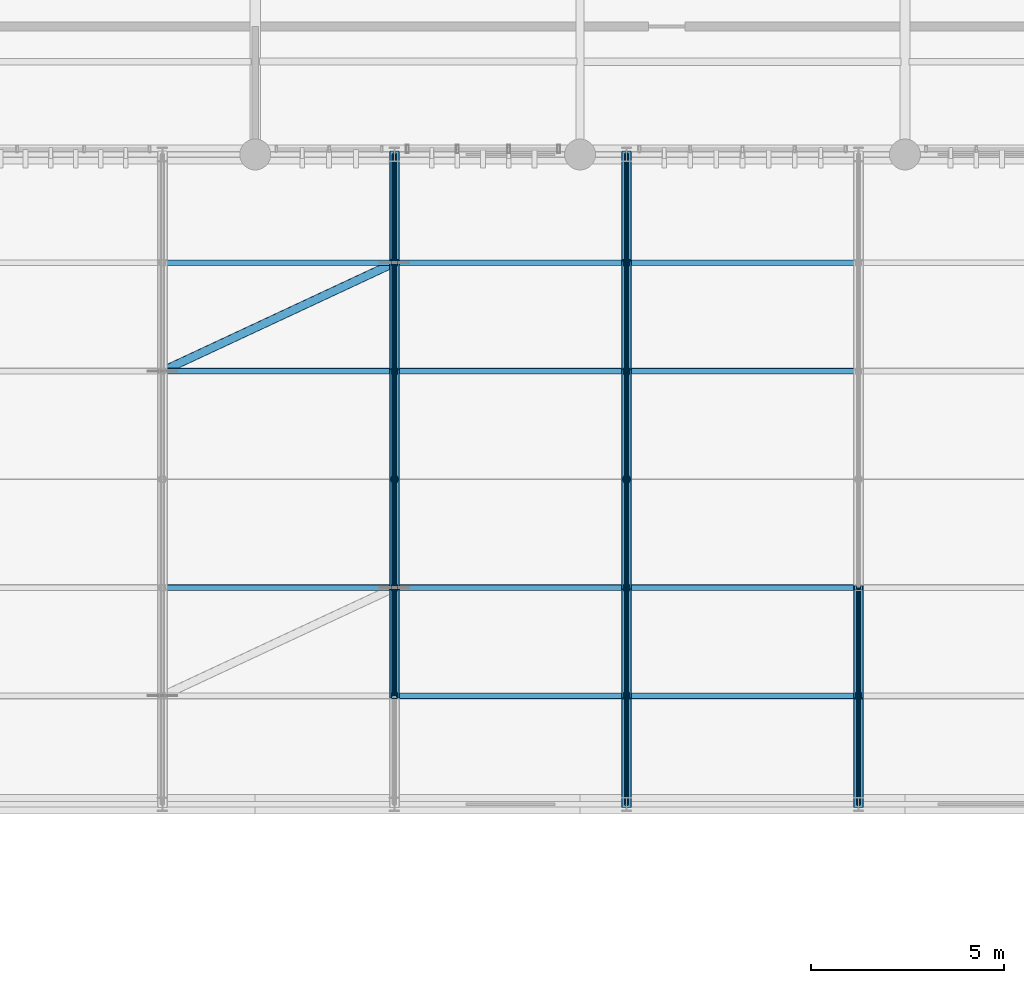
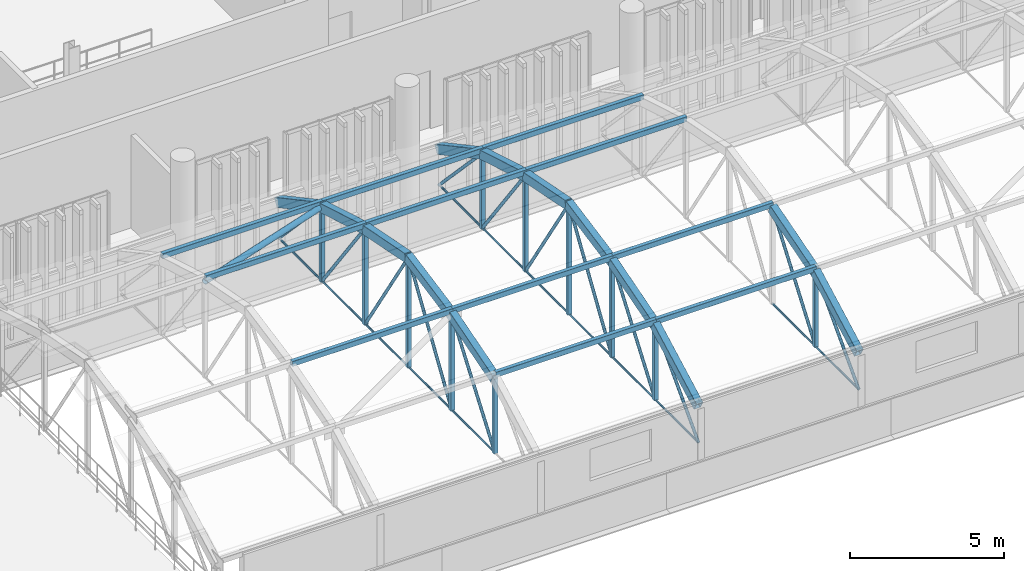
# One storey, part 45 of 109: 49 members, 13 beams.
"""IFC4 building model written with IfcOpenShell, lengths in metres."""

from ifc_helpers import new_model, si_unit, direction, frame, origin_with_axes, origin_2d_with_axis, place, context, subcontext, project, spatial, hollow_rectangle, circle, hollow_circle, extrude, material, material_profile, profile_set, type_object, element, save


model = new_model("IFC4")

# Units and contexts
model_context = context("Model", 3, precision=1e-05, world=origin_with_axes(), true_north=direction((0.0, 1.0)))
body_context = subcontext(model_context, "Body", "Model", "MODEL_VIEW")
ifc_project = project(units=[si_unit("LENGTHUNIT", "METRE"), si_unit("AREAUNIT", "SQUARE_METRE"), si_unit("VOLUMEUNIT", "CUBIC_METRE"), si_unit("PLANEANGLEUNIT", "RADIAN"), si_unit("MASSUNIT", "GRAM", prefix="KILO"), si_unit("THERMODYNAMICTEMPERATUREUNIT", "KELVIN")], contexts=[model_context])

# Site, building, storey
site_placement = place(None, origin_with_axes())
site = spatial("IfcSite", under=ifc_project, at=site_placement, CompositionType="ELEMENT")
building_placement = place(site_placement, origin_with_axes())
building = spatial("IfcBuilding", under=site, at=building_placement, Name="Montbau Bow Law Courts", CompositionType="ELEMENT")
storey_placement = place(building_placement, frame((0.0, 0.0, 10.8), z_axis=(0.0, 0.0, 1.0), x_axis=(1.0, 0.0, 0.0)))
storey = spatial("IfcBuildingStorey", under=building, at=storey_placement, Name="L02", CompositionType="ELEMENT", Elevation=10.8)

# Beams
ifc_material = material(Name="Steel CSA G40.21 Grade 350WT (350 MPa)", Category="steel")
ifc_material_profile_1 = material_profile(ifc_material, hollow_rectangle(XDim=0.254, YDim=0.356, WallThickness=0.0127, InnerFilletRadius=0.0254, OuterFilletRadius=0.0127, at=origin_2d_with_axis()), Name="HSS356X254X13", Category="Main", Priority=0)
ifc_profile_set_1 = profile_set([ifc_material_profile_1], Name="Steel CSA G40.21 Grade 350WT (350 MPa)")
beam_type = type_object("IfcBeamType", Name="B-ARC-01", PredefinedType="USERDEFINED", material=ifc_profile_set_1)
beam_1_placement = place(None, frame((75.6, 25.0, 14.005), z_axis=(0.0, 0.958856822, 0.283890109), x_axis=(-1.0, 0.0, 0.0)))
element("IfcBeam", 1, at=beam_1_placement, inside=storey, type_object=beam_type, Name="Barrel vault roof truss arch rib V4-062", ObjectType="ARCH_RIB", PredefinedType="USERDEFINED", context=body_context, shape_type="SweptSolid", body=[
    extrude(hollow_rectangle(XDim=0.254, YDim=0.356, WallThickness=0.0127, InnerFilletRadius=0.0254, OuterFilletRadius=0.0127, at=origin_2d_with_axis()), origin_with_axes(), (0.0, 0.0, 1.0), 2.920144),
])
for number, where, z_axis, x_axis, name in (
    (2, (75.6, 27.8, 14.834), (0.0, 0.981513084, 0.191395051), (-1.0, 0.0, 0.0), "Barrel vault roof truss arch rib V4-063"),
    (3, (75.6, 30.6, 15.38), (0.0, 0.981513084, -0.191395051), (-1.0, 0.0, 0.0), "Barrel vault roof truss arch rib V4-064"),
):
    element("IfcBeam", number, at=place(None, frame(where, z_axis=z_axis, x_axis=x_axis)), inside=storey, type_object=beam_type, Name=name, ObjectType="ARCH_RIB", PredefinedType="USERDEFINED", context=body_context, shape_type="SweptSolid", body=[
        extrude(hollow_rectangle(XDim=0.254, YDim=0.356, WallThickness=0.0127, InnerFilletRadius=0.0254, OuterFilletRadius=0.0127, at=origin_2d_with_axis()), origin_with_axes(), (0.0, 0.0, 1.0), 2.852738),
    ])
beam_2_placement = place(None, frame((75.6, 33.4, 14.834), z_axis=(0.0, 0.958856822, -0.283890109), x_axis=(-1.0, 0.0, 0.0)))
element("IfcBeam", 4, at=beam_2_placement, inside=storey, type_object=beam_type, Name="Barrel vault roof truss arch rib V4-065", ObjectType="ARCH_RIB", PredefinedType="USERDEFINED", context=body_context, shape_type="SweptSolid", body=[
    extrude(hollow_rectangle(XDim=0.254, YDim=0.356, WallThickness=0.0127, InnerFilletRadius=0.0254, OuterFilletRadius=0.0127, at=origin_2d_with_axis()), origin_with_axes(), (0.0, 0.0, 1.0), 2.920144),
])
for number, where, z_axis, x_axis, name in (
    (5, (75.6, 36.2, 14.005), (0.0, 0.880824397, -0.473443113), (-1.0, 0.0, 0.0), "Barrel vault roof truss arch rib V4-066"),
    (6, (81.6, 22.2, 12.5), (0.0, 0.880824397, 0.473443113), (-1.0, 0.0, 0.0), "Barrel vault roof truss arch rib V4-067"),
):
    element("IfcBeam", number, at=place(None, frame(where, z_axis=z_axis, x_axis=x_axis)), inside=storey, type_object=beam_type, Name=name, ObjectType="ARCH_RIB", PredefinedType="USERDEFINED", context=body_context, shape_type="SweptSolid", body=[
        extrude(hollow_rectangle(XDim=0.254, YDim=0.356, WallThickness=0.0127, InnerFilletRadius=0.0254, OuterFilletRadius=0.0127, at=origin_2d_with_axis()), origin_with_axes(), (0.0, 0.0, 1.0), 3.17884),
    ])
beam_3_placement = place(None, frame((81.6, 25.0, 14.005), z_axis=(0.0, 0.958856822, 0.283890109), x_axis=(-1.0, 0.0, 0.0)))
element("IfcBeam", 7, at=beam_3_placement, inside=storey, type_object=beam_type, Name="Barrel vault roof truss arch rib V4-068", ObjectType="ARCH_RIB", PredefinedType="USERDEFINED", context=body_context, shape_type="SweptSolid", body=[
    extrude(hollow_rectangle(XDim=0.254, YDim=0.356, WallThickness=0.0127, InnerFilletRadius=0.0254, OuterFilletRadius=0.0127, at=origin_2d_with_axis()), origin_with_axes(), (0.0, 0.0, 1.0), 2.920144),
])
for number, where, z_axis, x_axis, name in (
    (8, (81.6, 27.8, 14.834), (0.0, 0.981513084, 0.191395051), (-1.0, 0.0, 0.0), "Barrel vault roof truss arch rib V4-069"),
    (9, (81.6, 30.6, 15.38), (0.0, 0.981513084, -0.191395051), (-1.0, 0.0, 0.0), "Barrel vault roof truss arch rib V4-070"),
):
    element("IfcBeam", number, at=place(None, frame(where, z_axis=z_axis, x_axis=x_axis)), inside=storey, type_object=beam_type, Name=name, ObjectType="ARCH_RIB", PredefinedType="USERDEFINED", context=body_context, shape_type="SweptSolid", body=[
        extrude(hollow_rectangle(XDim=0.254, YDim=0.356, WallThickness=0.0127, InnerFilletRadius=0.0254, OuterFilletRadius=0.0127, at=origin_2d_with_axis()), origin_with_axes(), (0.0, 0.0, 1.0), 2.852738),
    ])
beam_4_placement = place(None, frame((81.6, 33.4, 14.834), z_axis=(0.0, 0.958856822, -0.283890109), x_axis=(-1.0, 0.0, 0.0)))
element("IfcBeam", 10, at=beam_4_placement, inside=storey, type_object=beam_type, Name="Barrel vault roof truss arch rib V4-071", ObjectType="ARCH_RIB", PredefinedType="USERDEFINED", context=body_context, shape_type="SweptSolid", body=[
    extrude(hollow_rectangle(XDim=0.254, YDim=0.356, WallThickness=0.0127, InnerFilletRadius=0.0254, OuterFilletRadius=0.0127, at=origin_2d_with_axis()), origin_with_axes(), (0.0, 0.0, 1.0), 2.920144),
])
for number, where, z_axis, x_axis, name in (
    (11, (81.6, 36.2, 14.005), (0.0, 0.880824397, -0.473443113), (-1.0, 0.0, 0.0), "Barrel vault roof truss arch rib V4-072"),
    (12, (87.6, 22.2, 12.5), (0.0, 0.880824397, 0.473443113), (-1.0, 0.0, 0.0), "Barrel vault roof truss arch rib V4-073"),
):
    element("IfcBeam", number, at=place(None, frame(where, z_axis=z_axis, x_axis=x_axis)), inside=storey, type_object=beam_type, Name=name, ObjectType="ARCH_RIB", PredefinedType="USERDEFINED", context=body_context, shape_type="SweptSolid", body=[
        extrude(hollow_rectangle(XDim=0.254, YDim=0.356, WallThickness=0.0127, InnerFilletRadius=0.0254, OuterFilletRadius=0.0127, at=origin_2d_with_axis()), origin_with_axes(), (0.0, 0.0, 1.0), 3.17884),
    ])
beam_5_placement = place(None, frame((87.6, 25.0, 14.005), z_axis=(0.0, 0.958856822, 0.283890109), x_axis=(-1.0, 0.0, 0.0)))
element("IfcBeam", 13, at=beam_5_placement, inside=storey, type_object=beam_type, Name="Barrel vault roof truss arch rib V4-074", ObjectType="ARCH_RIB", PredefinedType="USERDEFINED", context=body_context, shape_type="SweptSolid", body=[
    extrude(hollow_rectangle(XDim=0.254, YDim=0.356, WallThickness=0.0127, InnerFilletRadius=0.0254, OuterFilletRadius=0.0127, at=origin_2d_with_axis()), origin_with_axes(), (0.0, 0.0, 1.0), 2.920144),
])

# Members
ifc_material_profile_2 = material_profile(ifc_material, hollow_circle(Radius=0.1095, WallThickness=0.0111, at=origin_2d_with_axis()), Name="HSS219X11", Category="Main", Priority=0)
ifc_profile_set_2 = profile_set([ifc_material_profile_2], Name="Steel CSA G40.21 Grade 350WT (350 MPa)")
member_type_1 = type_object("IfcMemberType", Name="M-BRC-04", PredefinedType="BRACE", material=ifc_profile_set_2)
member_1_placement = place(None, frame((69.6, 33.4, 14.834), z_axis=(0.899162854, 0.419609332, -0.124234334), x_axis=(-0.422885465, 0.90618314, 0.0)))
element("IfcMember", 14, at=member_1_placement, inside=storey, type_object=member_type_1, Name="Diagonal brace VBR-V4-086", PredefinedType="BRACE", context=body_context, shape_type="SweptSolid", body=[
    extrude(hollow_circle(Radius=0.1095, WallThickness=0.0111, at=origin_2d_with_axis()), origin_with_axes(), (0.0, 0.0, 1.0), 6.672874),
])
ifc_material_profile_3 = material_profile(ifc_material, hollow_rectangle(XDim=0.152, YDim=0.203, WallThickness=0.0095, InnerFilletRadius=0.019, OuterFilletRadius=0.0095, at=origin_2d_with_axis()), Name="HSS203X152X9.5", Category="Main", Priority=0)
ifc_profile_set_3 = profile_set([ifc_material_profile_3], Name="Steel CSA G40.21 Grade 350WT (350 MPa)")
member_type_2 = type_object("IfcMemberType", Name="M-PUR-01", PredefinedType="PURLIN", material=ifc_profile_set_3)
for number, where, z_axis, x_axis, name in (
    (15, (69.6, 27.8, 14.992), (1.0, 0.0, 0.0), (0.0, 1.0, 0.0), "Barrel vault roof truss purlin V4-059"),
    (16, (69.6, 33.4, 14.992), (1.0, 0.0, 0.0), (0.0, 1.0, 0.0), "Barrel vault roof truss purlin V4-061"),
    (17, (69.6, 36.2, 14.163), (1.0, 0.0, 0.0), (0.0, 1.0, 0.0), "Barrel vault roof truss purlin V4-062"),
    (18, (75.6, 25.0, 14.163), (1.0, 0.0, 0.0), (0.0, 1.0, 0.0), "Barrel vault roof truss purlin V4-065"),
    (19, (75.6, 27.8, 14.992), (1.0, 0.0, 0.0), (0.0, 1.0, 0.0), "Barrel vault roof truss purlin V4-066"),
    (20, (75.6, 33.4, 14.992), (1.0, 0.0, 0.0), (0.0, 1.0, 0.0), "Barrel vault roof truss purlin V4-068"),
    (21, (75.6, 36.2, 14.163), (1.0, 0.0, 0.0), (0.0, 1.0, 0.0), "Barrel vault roof truss purlin V4-069"),
    (22, (81.6, 25.0, 14.163), (1.0, 0.0, 0.0), (0.0, 1.0, 0.0), "Barrel vault roof truss purlin V4-072"),
    (23, (81.6, 27.8, 14.992), (1.0, 0.0, 0.0), (0.0, 1.0, 0.0), "Barrel vault roof truss purlin V4-073"),
    (24, (81.6, 33.4, 14.992), (1.0, 0.0, 0.0), (0.0, 1.0, 0.0), "Barrel vault roof truss purlin V4-075"),
    (25, (81.6, 36.2, 14.163), (1.0, 0.0, 0.0), (0.0, 1.0, 0.0), "Barrel vault roof truss purlin V4-076"),
):
    element("IfcMember", number, at=place(None, frame(where, z_axis=z_axis, x_axis=x_axis)), inside=storey, type_object=member_type_2, Name=name, PredefinedType="PURLIN", context=body_context, shape_type="SweptSolid", body=[
        extrude(hollow_rectangle(XDim=0.152, YDim=0.203, WallThickness=0.0095, InnerFilletRadius=0.019, OuterFilletRadius=0.0095, at=origin_2d_with_axis()), origin_with_axes(), (0.0, 0.0, 1.0), 6.0),
    ])
ifc_material_profile_4 = material_profile(ifc_material, hollow_rectangle(XDim=0.152, YDim=0.152, WallThickness=0.0095, InnerFilletRadius=0.019, OuterFilletRadius=0.0095, at=origin_2d_with_axis()), Name="HSS152X152X9.5", Category="Main", Priority=0)
ifc_profile_set_4 = profile_set([ifc_material_profile_4], Name="Steel CSA G40.21 Grade 350WT (350 MPa)")
member_type_3 = type_object("IfcMemberType", Name="M-STR-02", PredefinedType="STRUT", material=ifc_profile_set_4)
member_2_placement = place(None, frame((75.6, 25.0, 11.05), z_axis=(0.0, 0.0, 1.0), x_axis=(1.0, 0.0, 0.0)))
element("IfcMember", 26, at=member_2_placement, inside=storey, type_object=member_type_3, Name="Barrel vault roof truss web post V4-03-1", PredefinedType="STRUT", context=body_context, shape_type="SweptSolid", body=[
    extrude(hollow_rectangle(XDim=0.152, YDim=0.152, WallThickness=0.0095, InnerFilletRadius=0.019, OuterFilletRadius=0.0095, at=origin_2d_with_axis()), origin_with_axes(), (0.0, 0.0, 1.0), 2.955),
])
member_3_placement = place(None, frame((75.6, 27.8, 11.05), z_axis=(0.0, 0.0, 1.0), x_axis=(1.0, 0.0, 0.0)))
element("IfcMember", 27, at=member_3_placement, inside=storey, type_object=member_type_3, Name="Barrel vault roof truss web post V4-03-2", PredefinedType="STRUT", context=body_context, shape_type="SweptSolid", body=[
    extrude(hollow_rectangle(XDim=0.152, YDim=0.152, WallThickness=0.0095, InnerFilletRadius=0.019, OuterFilletRadius=0.0095, at=origin_2d_with_axis()), origin_with_axes(), (0.0, 0.0, 1.0), 3.784),
])
member_4_placement = place(None, frame((75.6, 30.6, 11.05), z_axis=(0.0, 0.0, 1.0), x_axis=(1.0, 0.0, 0.0)))
element("IfcMember", 28, at=member_4_placement, inside=storey, type_object=member_type_3, Name="Barrel vault roof truss web post V4-03-3", PredefinedType="STRUT", context=body_context, shape_type="SweptSolid", body=[
    extrude(hollow_rectangle(XDim=0.152, YDim=0.152, WallThickness=0.0095, InnerFilletRadius=0.019, OuterFilletRadius=0.0095, at=origin_2d_with_axis()), origin_with_axes(), (0.0, 0.0, 1.0), 4.33),
])
member_5_placement = place(None, frame((75.6, 33.4, 11.05), z_axis=(0.0, 0.0, 1.0), x_axis=(1.0, 0.0, 0.0)))
element("IfcMember", 29, at=member_5_placement, inside=storey, type_object=member_type_3, Name="Barrel vault roof truss web post V4-03-4", PredefinedType="STRUT", context=body_context, shape_type="SweptSolid", body=[
    extrude(hollow_rectangle(XDim=0.152, YDim=0.152, WallThickness=0.0095, InnerFilletRadius=0.019, OuterFilletRadius=0.0095, at=origin_2d_with_axis()), origin_with_axes(), (0.0, 0.0, 1.0), 3.784),
])
for number, where, z_axis, x_axis, name in (
    (30, (75.6, 36.2, 11.05), (0.0, 0.0, 1.0), (1.0, 0.0, 0.0), "Barrel vault roof truss web post V4-03-5"),
    (31, (81.6, 25.0, 11.05), (0.0, 0.0, 1.0), (1.0, 0.0, 0.0), "Barrel vault roof truss web post V4-04-1"),
):
    element("IfcMember", number, at=place(None, frame(where, z_axis=z_axis, x_axis=x_axis)), inside=storey, type_object=member_type_3, Name=name, PredefinedType="STRUT", context=body_context, shape_type="SweptSolid", body=[
        extrude(hollow_rectangle(XDim=0.152, YDim=0.152, WallThickness=0.0095, InnerFilletRadius=0.019, OuterFilletRadius=0.0095, at=origin_2d_with_axis()), origin_with_axes(), (0.0, 0.0, 1.0), 2.955),
    ])
member_6_placement = place(None, frame((81.6, 27.8, 11.05), z_axis=(0.0, 0.0, 1.0), x_axis=(1.0, 0.0, 0.0)))
element("IfcMember", 32, at=member_6_placement, inside=storey, type_object=member_type_3, Name="Barrel vault roof truss web post V4-04-2", PredefinedType="STRUT", context=body_context, shape_type="SweptSolid", body=[
    extrude(hollow_rectangle(XDim=0.152, YDim=0.152, WallThickness=0.0095, InnerFilletRadius=0.019, OuterFilletRadius=0.0095, at=origin_2d_with_axis()), origin_with_axes(), (0.0, 0.0, 1.0), 3.784),
])
member_7_placement = place(None, frame((81.6, 30.6, 11.05), z_axis=(0.0, 0.0, 1.0), x_axis=(1.0, 0.0, 0.0)))
element("IfcMember", 33, at=member_7_placement, inside=storey, type_object=member_type_3, Name="Barrel vault roof truss web post V4-04-3", PredefinedType="STRUT", context=body_context, shape_type="SweptSolid", body=[
    extrude(hollow_rectangle(XDim=0.152, YDim=0.152, WallThickness=0.0095, InnerFilletRadius=0.019, OuterFilletRadius=0.0095, at=origin_2d_with_axis()), origin_with_axes(), (0.0, 0.0, 1.0), 4.33),
])
member_8_placement = place(None, frame((81.6, 33.4, 11.05), z_axis=(0.0, 0.0, 1.0), x_axis=(1.0, 0.0, 0.0)))
element("IfcMember", 34, at=member_8_placement, inside=storey, type_object=member_type_3, Name="Barrel vault roof truss web post V4-04-4", PredefinedType="STRUT", context=body_context, shape_type="SweptSolid", body=[
    extrude(hollow_rectangle(XDim=0.152, YDim=0.152, WallThickness=0.0095, InnerFilletRadius=0.019, OuterFilletRadius=0.0095, at=origin_2d_with_axis()), origin_with_axes(), (0.0, 0.0, 1.0), 3.784),
])
for number, where, z_axis, x_axis, name in (
    (35, (81.6, 36.2, 11.05), (0.0, 0.0, 1.0), (1.0, 0.0, 0.0), "Barrel vault roof truss web post V4-04-5"),
    (36, (87.6, 25.0, 11.05), (0.0, 0.0, 1.0), (1.0, 0.0, 0.0), "Barrel vault roof truss web post V4-05-1"),
):
    element("IfcMember", number, at=place(None, frame(where, z_axis=z_axis, x_axis=x_axis)), inside=storey, type_object=member_type_3, Name=name, PredefinedType="STRUT", context=body_context, shape_type="SweptSolid", body=[
        extrude(hollow_rectangle(XDim=0.152, YDim=0.152, WallThickness=0.0095, InnerFilletRadius=0.019, OuterFilletRadius=0.0095, at=origin_2d_with_axis()), origin_with_axes(), (0.0, 0.0, 1.0), 2.955),
    ])
ifc_material_profile_5 = material_profile(ifc_material, hollow_circle(Radius=0.057, WallThickness=0.008, at=origin_2d_with_axis()), Name="HSS114X8.0", Category="Main", Priority=0)
ifc_profile_set_5 = profile_set([ifc_material_profile_5], Name="Steel CSA G40.21 Grade 350WT (350 MPa)")
member_type_4 = type_object("IfcMemberType", Name="M-STR-03", PredefinedType="STRUT", material=ifc_profile_set_5)
member_9_placement = place(None, frame((75.6, 25.0, 11.05), z_axis=(0.0, 0.594821042, 0.803858151), x_axis=(-1.0, 0.0, 0.0)))
element("IfcMember", 37, at=member_9_placement, inside=storey, type_object=member_type_4, Name="Barrel vault roof truss web diagonal V4-03-2", PredefinedType="STRUT", context=body_context, shape_type="SweptSolid", body=[
    extrude(hollow_circle(Radius=0.057, WallThickness=0.008, at=origin_2d_with_axis()), origin_with_axes(), (0.0, 0.0, 1.0), 4.707298),
])
for number, where, z_axis, x_axis, name in (
    (38, (75.6, 27.8, 11.05), (0.0, 0.543010023, 0.839726214), (-1.0, 0.0, 0.0), "Barrel vault roof truss web diagonal V4-03-3"),
    (39, (75.6, 30.6, 15.38), (0.0, 0.543010023, -0.839726214), (-1.0, 0.0, 0.0), "Barrel vault roof truss web diagonal V4-03-4"),
):
    element("IfcMember", number, at=place(None, frame(where, z_axis=z_axis, x_axis=x_axis)), inside=storey, type_object=member_type_4, Name=name, PredefinedType="STRUT", context=body_context, shape_type="SweptSolid", body=[
        extrude(hollow_circle(Radius=0.057, WallThickness=0.008, at=origin_2d_with_axis()), origin_with_axes(), (0.0, 0.0, 1.0), 5.156443),
    ])
member_10_placement = place(None, frame((75.6, 33.4, 14.834), z_axis=(0.0, 0.594821042, -0.803858151), x_axis=(-1.0, 0.0, 0.0)))
element("IfcMember", 40, at=member_10_placement, inside=storey, type_object=member_type_4, Name="Barrel vault roof truss web diagonal V4-03-5", PredefinedType="STRUT", context=body_context, shape_type="SweptSolid", body=[
    extrude(hollow_circle(Radius=0.057, WallThickness=0.008, at=origin_2d_with_axis()), origin_with_axes(), (0.0, 0.0, 1.0), 4.707298),
])
for number, where, z_axis, x_axis, name in (
    (41, (75.6, 36.2, 14.005), (0.0, 0.687812781, -0.725888131), (-1.0, 0.0, 0.0), "Barrel vault roof truss web diagonal V4-03-6"),
    (42, (81.6, 22.2, 11.05), (0.0, 0.687812781, 0.725888131), (-1.0, 0.0, 0.0), "Barrel vault roof truss web diagonal V4-04-1"),
):
    element("IfcMember", number, at=place(None, frame(where, z_axis=z_axis, x_axis=x_axis)), inside=storey, type_object=member_type_4, Name=name, PredefinedType="STRUT", context=body_context, shape_type="SweptSolid", body=[
        extrude(hollow_circle(Radius=0.057, WallThickness=0.008, at=origin_2d_with_axis()), origin_with_axes(), (0.0, 0.0, 1.0), 4.070875),
    ])
member_11_placement = place(None, frame((81.6, 25.0, 11.05), z_axis=(0.0, 0.594821042, 0.803858151), x_axis=(-1.0, 0.0, 0.0)))
element("IfcMember", 43, at=member_11_placement, inside=storey, type_object=member_type_4, Name="Barrel vault roof truss web diagonal V4-04-2", PredefinedType="STRUT", context=body_context, shape_type="SweptSolid", body=[
    extrude(hollow_circle(Radius=0.057, WallThickness=0.008, at=origin_2d_with_axis()), origin_with_axes(), (0.0, 0.0, 1.0), 4.707298),
])
for number, where, z_axis, x_axis, name in (
    (44, (81.6, 27.8, 11.05), (0.0, 0.543010023, 0.839726214), (-1.0, 0.0, 0.0), "Barrel vault roof truss web diagonal V4-04-3"),
    (45, (81.6, 30.6, 15.38), (0.0, 0.543010023, -0.839726214), (-1.0, 0.0, 0.0), "Barrel vault roof truss web diagonal V4-04-4"),
):
    element("IfcMember", number, at=place(None, frame(where, z_axis=z_axis, x_axis=x_axis)), inside=storey, type_object=member_type_4, Name=name, PredefinedType="STRUT", context=body_context, shape_type="SweptSolid", body=[
        extrude(hollow_circle(Radius=0.057, WallThickness=0.008, at=origin_2d_with_axis()), origin_with_axes(), (0.0, 0.0, 1.0), 5.156443),
    ])
member_12_placement = place(None, frame((81.6, 33.4, 14.834), z_axis=(0.0, 0.594821042, -0.803858151), x_axis=(-1.0, 0.0, 0.0)))
element("IfcMember", 46, at=member_12_placement, inside=storey, type_object=member_type_4, Name="Barrel vault roof truss web diagonal V4-04-5", PredefinedType="STRUT", context=body_context, shape_type="SweptSolid", body=[
    extrude(hollow_circle(Radius=0.057, WallThickness=0.008, at=origin_2d_with_axis()), origin_with_axes(), (0.0, 0.0, 1.0), 4.707298),
])
for number, where, z_axis, x_axis, name in (
    (47, (81.6, 36.2, 14.005), (0.0, 0.687812781, -0.725888131), (-1.0, 0.0, 0.0), "Barrel vault roof truss web diagonal V4-04-6"),
    (48, (87.6, 22.2, 11.05), (0.0, 0.687812781, 0.725888131), (-1.0, 0.0, 0.0), "Barrel vault roof truss web diagonal V4-05-1"),
):
    element("IfcMember", number, at=place(None, frame(where, z_axis=z_axis, x_axis=x_axis)), inside=storey, type_object=member_type_4, Name=name, PredefinedType="STRUT", context=body_context, shape_type="SweptSolid", body=[
        extrude(hollow_circle(Radius=0.057, WallThickness=0.008, at=origin_2d_with_axis()), origin_with_axes(), (0.0, 0.0, 1.0), 4.070875),
    ])
member_13_placement = place(None, frame((87.6, 25.0, 11.05), z_axis=(0.0, 0.594821042, 0.803858151), x_axis=(-1.0, 0.0, 0.0)))
element("IfcMember", 49, at=member_13_placement, inside=storey, type_object=member_type_4, Name="Barrel vault roof truss web diagonal V4-05-2", PredefinedType="STRUT", context=body_context, shape_type="SweptSolid", body=[
    extrude(hollow_circle(Radius=0.057, WallThickness=0.008, at=origin_2d_with_axis()), origin_with_axes(), (0.0, 0.0, 1.0), 4.707298),
])
ifc_material_profile_6 = material_profile(ifc_material, circle(Radius=0.038, at=origin_2d_with_axis()), Name="ROD76", Category="Main", Priority=0)
ifc_profile_set_6 = profile_set([ifc_material_profile_6], Name="Steel CSA G40.21 Grade 350WT (350 MPa)")
member_type_5 = type_object("IfcMemberType", Name="M-TIE-01", PredefinedType="USERDEFINED", material=ifc_profile_set_6)
for number, where, z_axis, x_axis, name in (
    (50, (75.6, 25.0, 11.05), (0.0, 1.0, 0.0), (-1.0, 0.0, 0.0), "Barrel vault roof truss tie V4-062"),
    (51, (75.6, 27.8, 11.05), (0.0, 1.0, 0.0), (-1.0, 0.0, 0.0), "Barrel vault roof truss tie V4-063"),
    (52, (75.6, 30.6, 11.05), (0.0, 1.0, 0.0), (-1.0, 0.0, 0.0), "Barrel vault roof truss tie V4-064"),
    (53, (75.6, 33.4, 11.05), (0.0, 1.0, 0.0), (-1.0, 0.0, 0.0), "Barrel vault roof truss tie V4-065"),
    (54, (75.6, 36.2, 11.05), (0.0, 1.0, 0.0), (-1.0, 0.0, 0.0), "Barrel vault roof truss tie V4-066"),
    (55, (81.6, 22.2, 11.05), (0.0, 1.0, 0.0), (-1.0, 0.0, 0.0), "Barrel vault roof truss tie V4-067"),
    (56, (81.6, 25.0, 11.05), (0.0, 1.0, 0.0), (-1.0, 0.0, 0.0), "Barrel vault roof truss tie V4-068"),
    (57, (81.6, 27.8, 11.05), (0.0, 1.0, 0.0), (-1.0, 0.0, 0.0), "Barrel vault roof truss tie V4-069"),
    (58, (81.6, 30.6, 11.05), (0.0, 1.0, 0.0), (-1.0, 0.0, 0.0), "Barrel vault roof truss tie V4-070"),
    (59, (81.6, 33.4, 11.05), (0.0, 1.0, 0.0), (-1.0, 0.0, 0.0), "Barrel vault roof truss tie V4-071"),
    (60, (81.6, 36.2, 11.05), (0.0, 1.0, 0.0), (-1.0, 0.0, 0.0), "Barrel vault roof truss tie V4-072"),
    (61, (87.6, 22.2, 11.05), (0.0, 1.0, 0.0), (-1.0, 0.0, 0.0), "Barrel vault roof truss tie V4-073"),
    (62, (87.6, 25.0, 11.05), (0.0, 1.0, 0.0), (-1.0, 0.0, 0.0), "Barrel vault roof truss tie V4-074"),
):
    element("IfcMember", number, at=place(None, frame(where, z_axis=z_axis, x_axis=x_axis)), inside=storey, type_object=member_type_5, Name=name, ObjectType="TIEBAR", PredefinedType="USERDEFINED", context=body_context, shape_type="SweptSolid", body=[
        extrude(circle(Radius=0.038, at=origin_2d_with_axis()), origin_with_axes(), (0.0, 0.0, 1.0), 2.8),
    ])

save(model, "model.ifc")
